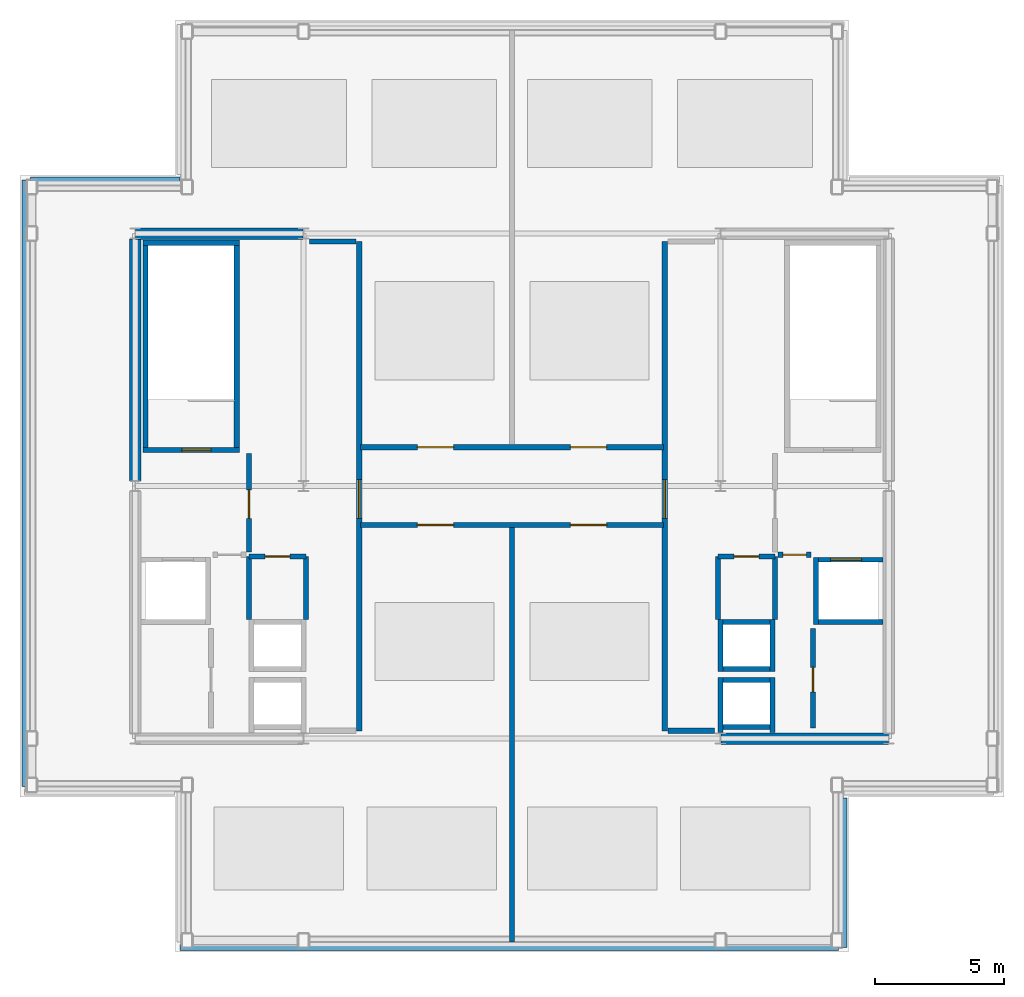
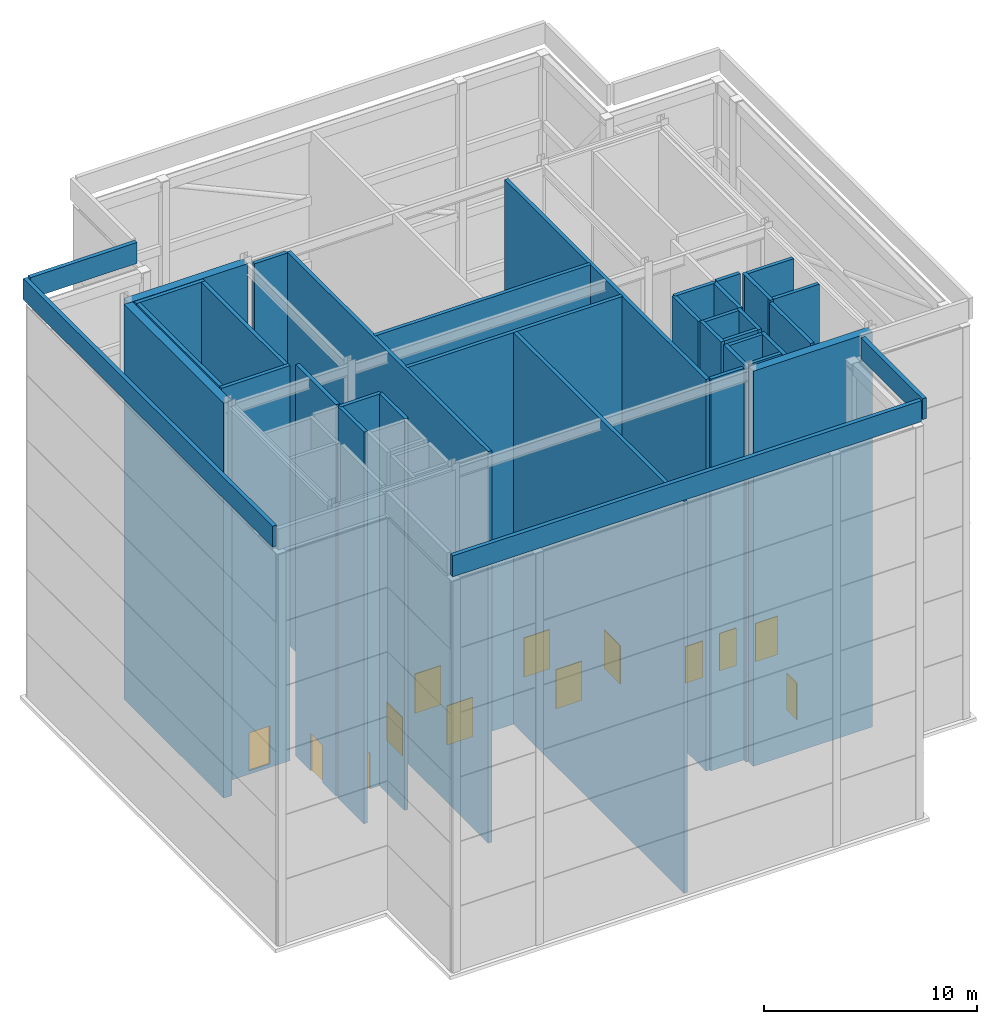
# One storey, part 5 of 8: 38 walls, 13 doors, 13 openings.
"""IFC4 building model written with IfcOpenShell, lengths in metres."""

from ifc_helpers import new_model, si_unit, direction, frame, frame_2d, origin, place, context, subcontext, project, spatial, rectangle, extrude, material, layer, layer_set, type_object, element, fill, save


model = new_model("IFC4")

# Units and contexts
model_context = context("Model", 3, precision=1e-05, world=origin(), true_north=direction((0.0, 1.0)))
body_context = subcontext(model_context, "Body", "Model", "MODEL_VIEW")
ifc_project = project(units=[si_unit("LENGTHUNIT", "METRE"), si_unit("AREAUNIT", "SQUARE_METRE"), si_unit("VOLUMEUNIT", "CUBIC_METRE"), si_unit("PLANEANGLEUNIT", "RADIAN"), si_unit("MASSUNIT", "GRAM", prefix="KILO")], contexts=[model_context])

# Site, building, storey
site_placement = place(None, origin())
site = spatial("IfcSite", under=ifc_project, at=site_placement, CompositionType="ELEMENT")
building_placement = place(site_placement, origin())
building = spatial("IfcBuilding", under=site, at=building_placement, Name="Brelmoor Portico Tower", CompositionType="ELEMENT")
storey_placement = place(building_placement, frame((0.0, 0.0, 289.199951171875)))
storey = spatial("IfcBuildingStorey", under=building, at=storey_placement, Name="L76", CompositionType="ELEMENT", Elevation=289.199951171875)

# Walls
ifc_material_1 = material(Name="Concrete C50", Category="concrete")
ifc_layer_1 = layer(ifc_material_1, 0.449951171875)
ifc_layer_set_1 = layer_set([ifc_layer_1], Name="Concrete C50")
wall_type_1 = type_object("IfcWallType", Name="WL-CORE-450", PredefinedType="SHEAR", material=ifc_layer_set_1)
wall_1_placement = place(storey_placement, frame((-14.530029296875, 9.75, -0.199951171875), z_axis=(0.0, 0.0, 1.0), x_axis=(1.0, 0.0, 0.0)))
element("IfcWall", 1, at=wall_1_placement, inside=storey, type_object=wall_type_1, Name="L76 WC North Shear Wall", PredefinedType="SHEAR", context=body_context, shape_type="SweptSolid", body=[
    extrude(rectangle(XDim=6.4599609375, YDim=0.449951171875, at=frame_2d((3.22998046875, 0.0))), origin(), (0.0, 0.0, 1.0), 22.64990234375),
])
wall_2_placement = place(storey_placement, frame((-14.550048828125, 0.199951171875, -0.199951171875), z_axis=(0.0, 0.0, 1.0), x_axis=(0.0, 1.0, 0.0)))
element("IfcWall", 2, at=wall_2_placement, inside=storey, type_object=wall_type_1, Name="L76 WC Outer North Shear Wall", PredefinedType="SHEAR", context=body_context, shape_type="SweptSolid", body=[
    extrude(rectangle(XDim=9.35009765625, YDim=0.449951171875, at=frame_2d((4.675048828125, 0.0))), origin(), (0.0, 0.0, 1.0), 22.64990234375),
])
wall_3_placement = place(storey_placement, frame((8.070068359375, -9.75, -0.199951171875), z_axis=(0.0, 0.0, 1.0), x_axis=(1.0, 0.0, 0.0)))
element("IfcWall", 3, at=wall_3_placement, inside=storey, type_object=wall_type_1, Name="L76 EC South Shear Wall", PredefinedType="SHEAR", context=body_context, shape_type="SweptSolid", body=[
    extrude(rectangle(XDim=6.4599609375, YDim=0.449951171875, at=frame_2d((3.22998046875, 0.0))), origin(), (0.0, 0.0, 1.0), 22.64990234375),
])
ifc_material_2 = material(Name="Concrete C40 Parapet Upstand", Category="concrete")
ifc_layer_2 = layer(ifc_material_2, 0.219970703125)
ifc_layer_set_2 = layer_set([ifc_layer_2], Name="Concrete C40 Parapet Upstand")
wall_type_2 = type_object("IfcWallType", Name="WL-PARAPET-220", PredefinedType="PARAPET", material=ifc_layer_set_2)
wall_4_placement = place(storey_placement, frame((-12.820068359375, -17.820068359375, 22.800048828125), z_axis=(0.0, 0.0, 1.0), x_axis=(1.0, 0.0, 0.0)))
element("IfcWall", 4, at=wall_4_placement, inside=storey, type_object=wall_type_2, Name="L76 Roof Parapet Wall 01", PredefinedType="PARAPET", context=body_context, shape_type="SweptSolid", body=[
    extrude(rectangle(XDim=25.420166015625, YDim=0.219970703125, at=frame_2d((12.7099609375, 0.0))), origin(), (0.0, 0.0, 1.0), 1.199951171875),
])
for number, where, z_axis, x_axis, name in (
    (5, (12.820068359375, -17.820068359375, 22.800048828125), (0.0, 0.0, 1.0), (0.0, 1.0, 0.0), "L76 Roof Parapet Wall 02"),
    (6, (-12.820068359375, 11.820068359375, 22.800048828125), (0.0, 0.0, 1.0), (-1.0, 0.0, 0.0), "L76 Roof Parapet Wall 09"),
):
    element("IfcWall", number, at=place(storey_placement, frame(where, z_axis=z_axis, x_axis=x_axis)), inside=storey, type_object=wall_type_2, Name=name, PredefinedType="PARAPET", context=body_context, shape_type="SweptSolid", body=[
        extrude(rectangle(XDim=5.780029296875, YDim=0.219970703125, at=frame_2d((2.89013671875, 0.0))), origin(), (0.0, 0.0, 1.0), 1.199951171875),
    ])
wall_5_placement = place(storey_placement, frame((-18.820068359375, 11.820068359375, 22.800048828125), z_axis=(0.0, 0.0, 1.0), x_axis=(0.0, -1.0, 0.0)))
element("IfcWall", 7, at=wall_5_placement, inside=storey, type_object=wall_type_2, Name="L76 Roof Parapet Wall 10", PredefinedType="PARAPET", context=body_context, shape_type="SweptSolid", body=[
    extrude(rectangle(XDim=23.420166015625, YDim=0.219970703125, at=frame_2d((11.7099609375, 0.0))), origin(), (0.0, 0.0, 1.0), 1.199951171875),
])

# Wall, opening, door
ifc_material_3 = material(Name="Double-Stud Gypsum Fire Partition", Category="gypsum")
ifc_layer_3 = layer(ifc_material_3, 0.199951171875)
ifc_layer_set_3 = layer_set([ifc_layer_3], Name="Double-Stud Gypsum Fire Partition")
wall_type_3 = type_object("IfcWallType", Name="WL-PART-200", PredefinedType="PARTITIONING", material=ifc_layer_set_3)
wall_6_placement = place(storey_placement, frame((-5.89990234375, -9.449951171875, 0.0), z_axis=(0.0, 0.0, 1.0), x_axis=(0.0, 1.0, 0.0)))
wall_6 = element("IfcWall", 8, at=wall_6_placement, inside=storey, type_object=wall_type_3, Name="L76 W Core Lobby Compartment Wall", PredefinedType="PARTITIONING", context=body_context, shape_type="SweptSolid", body=[
    extrude(rectangle(XDim=18.89990234375, YDim=0.199951171875, at=frame_2d((9.449951171875, 0.0))), origin(), (0.0, 0.0, 1.0), 22.449951171875),
])
opening_1_placement = place(wall_6_placement, frame((8.199951171875, 0.0, 0.0)))
opening_1 = element("IfcOpeningElement", 9, at=opening_1_placement, cuts=wall_6, Name="Opening D-LB1", PredefinedType="OPENING", context=body_context, shape_type="SweptSolid", body=[
    extrude(rectangle(XDim=1.5, YDim=2.199951171875, at=frame_2d((0.75, 1.10009765625))), frame((0.0, 0.10986328125, 0.0), z_axis=(0.0, -1.0, 0.0), x_axis=(1.0, 0.0, 0.0)), (0.0, 0.0, 1.0), 0.219970703125),
])
ifc_material_4 = material(Name="Double-Leaf Glazed Steel Fire Door", Category="steel")
door_type_1 = type_object("IfcDoorType", Name="DR-LOBBY-1500", OperationType="NOTDEFINED", PredefinedType="DOOR", material=ifc_material_4)
door_1_placement = place(opening_1_placement, origin())
door_1 = element("IfcDoor", 10, at=door_1_placement, inside=storey, type_object=door_type_1, Name="D-3083 L76 W Lift Lobby Main Door", OperationType="DOUBLE_DOOR_SINGLE_SWING", OverallHeight=2.199951171875, OverallWidth=1.5, PredefinedType="DOOR", context=body_context, shape_type="SweptSolid", body=[
    extrude(rectangle(XDim=1.5, YDim=2.199951171875, at=frame_2d((0.75, 1.10009765625))), frame((0.0, 0.02490234375, 0.0), z_axis=(0.0, -1.0, 0.0), x_axis=(1.0, 0.0, 0.0)), (0.0, 0.0, 1.0), 0.050048828125),
])
fill(opening_1, door_1)

# Wall
wall_7_placement = place(storey_placement, frame((-6.02001953125, 9.449951171875, 0.0), z_axis=(0.0, 0.0, 1.0), x_axis=(-1.0, 0.0, 0.0)))
element("IfcWall", 11, at=wall_7_placement, inside=storey, type_object=wall_type_3, Name="L76 W Lift Lobby North End Wall", PredefinedType="PARTITIONING", context=body_context, shape_type="SweptSolid", body=[
    extrude(rectangle(XDim=1.800048828125, YDim=0.199951171875, at=frame_2d((0.89990234375, 0.0))), origin(), (0.0, 0.0, 1.0), 22.449951171875),
])

# Wall, opening, door
wall_8_placement = place(storey_placement, frame((-10.159912109375, -2.550048828125, 0.0), z_axis=(0.0, 0.0, 1.0), x_axis=(0.0, 1.0, 0.0)))
wall_8 = element("IfcWall", 12, at=wall_8_placement, inside=storey, type_object=wall_type_3, Name="L76 W Firefighting Lobby Wall", PredefinedType="PARTITIONING", context=body_context, shape_type="SweptSolid", body=[
    extrude(rectangle(XDim=3.800048828125, YDim=0.199951171875, at=frame_2d((1.89990234375, 0.0))), origin(), (0.0, 0.0, 1.0), 22.449951171875),
])
opening_2_placement = place(wall_8_placement, frame((1.300048828125, 0.0, 0.0)))
opening_2 = element("IfcOpeningElement", 13, at=opening_2_placement, cuts=wall_8, Name="Opening D-FR1", PredefinedType="OPENING", context=body_context, shape_type="SweptSolid", body=[
    extrude(rectangle(XDim=1.10009765625, YDim=2.14990234375, at=frame_2d((0.550048828125, 1.074951171875))), frame((0.0, 0.10986328125, 0.0), z_axis=(0.0, -1.0, 0.0), x_axis=(1.0, 0.0, 0.0)), (0.0, 0.0, 1.0), 0.219970703125),
])
ifc_material_5 = material(Name="Painted Galvanised Steel Fire Door", Category="steel")
door_type_2 = type_object("IfcDoorType", Name="DR-FIRE-1100", OperationType="NOTDEFINED", PredefinedType="DOOR", material=ifc_material_5)
door_2_placement = place(opening_2_placement, origin())
door_2 = element("IfcDoor", 14, at=door_2_placement, inside=storey, type_object=door_type_2, Name="D-3081 L76 W Firefighting Lobby Door", OperationType="SINGLE_SWING_RIGHT", OverallHeight=2.14990234375, OverallWidth=1.10009765625, PredefinedType="DOOR", context=body_context, shape_type="SweptSolid", body=[
    extrude(rectangle(XDim=1.10009765625, YDim=2.14990234375, at=frame_2d((0.550048828125, 1.074951171875))), frame((0.0, 0.02490234375, 0.0), z_axis=(0.0, -1.0, 0.0), x_axis=(1.0, 0.0, 0.0)), (0.0, 0.0, 1.0), 0.050048828125),
])
fill(opening_2, door_2)

wall_9_placement = place(storey_placement, frame((-7.9599609375, -2.719970703125, 0.0), z_axis=(0.0, 0.0, 1.0), x_axis=(-1.0, 0.0, 0.0)))
wall_9 = element("IfcWall", 15, at=wall_9_placement, inside=storey, type_object=wall_type_3, Name="L76 W Electrical Switchgear Closet Wall", PredefinedType="PARTITIONING", context=body_context, shape_type="SweptSolid", body=[
    extrude(rectangle(XDim=2.199951171875, YDim=0.199951171875, at=frame_2d((1.10009765625, 0.0))), origin(), (0.0, 0.0, 1.0), 22.449951171875),
])
opening_3_placement = place(wall_9_placement, frame((0.6201171875, 0.0, 0.0)))
opening_3 = element("IfcOpeningElement", 16, at=opening_3_placement, cuts=wall_9, Name="Opening D-FR4", PredefinedType="OPENING", context=body_context, shape_type="SweptSolid", body=[
    extrude(rectangle(XDim=0.949951171875, YDim=2.10009765625, at=frame_2d((0.47509765625, 1.050048828125))), frame((0.0, 0.10986328125, 0.0), z_axis=(0.0, -1.0, 0.0), x_axis=(1.0, 0.0, 0.0)), (0.0, 0.0, 1.0), 0.219970703125),
])
ifc_material_6 = material(Name="Painted Galvanised Steel Riser Door", Category="steel")
door_type_3 = type_object("IfcDoorType", Name="DR-FIRE-950", OperationType="NOTDEFINED", PredefinedType="DOOR", material=ifc_material_6)
door_3_placement = place(opening_3_placement, origin())
door_3 = element("IfcDoor", 17, at=door_3_placement, inside=storey, type_object=door_type_3, Name="D-3079 L76 W Electrical Switchgear Closet Door", OperationType="SINGLE_SWING_RIGHT", OverallHeight=2.10009765625, OverallWidth=0.949951171875, PredefinedType="DOOR", context=body_context, shape_type="SweptSolid", body=[
    extrude(rectangle(XDim=0.949951171875, YDim=2.10009765625, at=frame_2d((0.47509765625, 1.050048828125))), frame((0.0, 0.02490234375, 0.0), z_axis=(0.0, -1.0, 0.0), x_axis=(1.0, 0.0, 0.0)), (0.0, 0.0, 1.0), 0.050048828125),
])
fill(opening_3, door_3)

# Walls
for number, where, z_axis, x_axis, name in (
    (18, (-7.9599609375, -5.159912109375, 0.0), (0.0, 0.0, 1.0), (0.0, 1.0, 0.0), "L76 W Electrical Switchgear Closet Inner Wall"),
    (19, (-10.159912109375, -5.159912109375, 0.0), (0.0, 0.0, 1.0), (0.0, 1.0, 0.0), "L76 W Electrical Switchgear Closet Outer Wall"),
):
    element("IfcWall", number, at=place(storey_placement, frame(where, z_axis=z_axis, x_axis=x_axis)), inside=storey, type_object=wall_type_3, Name=name, PredefinedType="PARTITIONING", context=body_context, shape_type="SweptSolid", body=[
        extrude(rectangle(XDim=2.43994140625, YDim=0.199951171875, at=frame_2d((1.219970703125, 0.0))), origin(), (0.0, 0.0, 1.0), 22.449951171875),
    ])

# Wall, opening, door
wall_10_placement = place(storey_placement, frame((5.89990234375, -9.449951171875, 0.0), z_axis=(0.0, 0.0, 1.0), x_axis=(0.0, 1.0, 0.0)))
wall_10 = element("IfcWall", 20, at=wall_10_placement, inside=storey, type_object=wall_type_3, Name="L76 E Core Lobby Compartment Wall", PredefinedType="PARTITIONING", context=body_context, shape_type="SweptSolid", body=[
    extrude(rectangle(XDim=18.89990234375, YDim=0.199951171875, at=frame_2d((9.449951171875, 0.0))), origin(), (0.0, 0.0, 1.0), 22.449951171875),
])
opening_4_placement = place(wall_10_placement, frame((8.199951171875, 0.0, 0.0)))
opening_4 = element("IfcOpeningElement", 21, at=opening_4_placement, cuts=wall_10, Name="Opening D-LB1", PredefinedType="OPENING", context=body_context, shape_type="SweptSolid", body=[
    extrude(rectangle(XDim=1.5, YDim=2.199951171875, at=frame_2d((0.75, 1.10009765625))), frame((0.0, 0.10986328125, 0.0), z_axis=(0.0, -1.0, 0.0), x_axis=(1.0, 0.0, 0.0)), (0.0, 0.0, 1.0), 0.219970703125),
])
door_4_placement = place(opening_4_placement, origin())
door_4 = element("IfcDoor", 22, at=door_4_placement, inside=storey, type_object=door_type_1, Name="D-3082 L76 E Lift Lobby Main Door", OperationType="DOUBLE_DOOR_SINGLE_SWING", OverallHeight=2.199951171875, OverallWidth=1.5, PredefinedType="DOOR", context=body_context, shape_type="SweptSolid", body=[
    extrude(rectangle(XDim=1.5, YDim=2.199951171875, at=frame_2d((0.75, 1.10009765625))), frame((0.0, 0.02490234375, 0.0), z_axis=(0.0, -1.0, 0.0), x_axis=(1.0, 0.0, 0.0)), (0.0, 0.0, 1.0), 0.050048828125),
])
fill(opening_4, door_4)

# Wall
wall_11_placement = place(storey_placement, frame((6.02001953125, -9.449951171875, 0.0), z_axis=(0.0, 0.0, 1.0), x_axis=(1.0, 0.0, 0.0)))
element("IfcWall", 23, at=wall_11_placement, inside=storey, type_object=wall_type_3, Name="L76 E Lift Lobby South End Wall", PredefinedType="PARTITIONING", context=body_context, shape_type="SweptSolid", body=[
    extrude(rectangle(XDim=1.800048828125, YDim=0.199951171875, at=frame_2d((0.89990234375, 0.0))), origin(), (0.0, 0.0, 1.0), 22.449951171875),
])

# Wall, opening, door
wall_12_placement = place(storey_placement, frame((10.280029296875, -2.64990234375, 0.0), z_axis=(0.0, 0.0, 1.0), x_axis=(1.0, 0.0, 0.0)))
wall_12 = element("IfcWall", 24, at=wall_12_placement, inside=storey, type_object=wall_type_3, Name="L76 E Firefighting Lobby South Wall", PredefinedType="PARTITIONING", context=body_context, shape_type="SweptSolid", body=[
    extrude(rectangle(XDim=1.27001953125, YDim=0.199951171875, at=frame_2d((0.635009765625, 0.0))), origin(), (0.0, 0.0, 1.0), 22.449951171875),
])
opening_5_placement = place(wall_12_placement, frame((0.18505859375, 0.0, 0.0)))
opening_5 = element("IfcOpeningElement", 25, at=opening_5_placement, cuts=wall_12, Name="Opening D-IN1", PredefinedType="OPENING", context=body_context, shape_type="SweptSolid", body=[
    extrude(rectangle(XDim=0.89990234375, YDim=2.14990234375, at=frame_2d((0.449951171875, 1.074951171875))), frame((0.0, 0.10986328125, 0.0), z_axis=(0.0, -1.0, 0.0), x_axis=(1.0, 0.0, 0.0)), (0.0, 0.0, 1.0), 0.219970703125),
])
ifc_material_7 = material(Name="Lacquered Timber Suite Door", Category="wood")
door_type_4 = type_object("IfcDoorType", Name="DR-INT-900", OperationType="NOTDEFINED", PredefinedType="DOOR", material=ifc_material_7)
door_5_placement = place(opening_5_placement, origin())
door_5 = element("IfcDoor", 26, at=door_5_placement, inside=storey, type_object=door_type_4, Name="D-3076 L76 E Core Service Vestibule Door", OperationType="SINGLE_SWING_LEFT", OverallHeight=2.14990234375, OverallWidth=0.89990234375, PredefinedType="DOOR", context=body_context, shape_type="SweptSolid", body=[
    extrude(rectangle(XDim=0.89990234375, YDim=2.14990234375, at=frame_2d((0.449951171875, 1.074951171875))), frame((0.0, 0.02490234375, 0.0), z_axis=(0.0, -1.0, 0.0), x_axis=(1.0, 0.0, 0.0)), (0.0, 0.0, 1.0), 0.050048828125),
])
fill(opening_5, door_5)

wall_13_placement = place(storey_placement, frame((7.9599609375, -2.719970703125, 0.0), z_axis=(0.0, 0.0, 1.0), x_axis=(1.0, 0.0, 0.0)))
wall_13 = element("IfcWall", 27, at=wall_13_placement, inside=storey, type_object=wall_type_3, Name="L76 E Electrical Switchgear Closet Wall", PredefinedType="PARTITIONING", context=body_context, shape_type="SweptSolid", body=[
    extrude(rectangle(XDim=2.199951171875, YDim=0.199951171875, at=frame_2d((1.10009765625, 0.0))), origin(), (0.0, 0.0, 1.0), 22.449951171875),
])
opening_6_placement = place(wall_13_placement, frame((0.6201171875, 0.0, 0.0)))
opening_6 = element("IfcOpeningElement", 28, at=opening_6_placement, cuts=wall_13, Name="Opening D-FR4", PredefinedType="OPENING", context=body_context, shape_type="SweptSolid", body=[
    extrude(rectangle(XDim=0.949951171875, YDim=2.10009765625, at=frame_2d((0.47509765625, 1.050048828125))), frame((0.0, 0.10986328125, 0.0), z_axis=(0.0, -1.0, 0.0), x_axis=(1.0, 0.0, 0.0)), (0.0, 0.0, 1.0), 0.219970703125),
])
door_6_placement = place(opening_6_placement, origin())
door_6 = element("IfcDoor", 29, at=door_6_placement, inside=storey, type_object=door_type_3, Name="D-3078 L76 E Electrical Switchgear Closet Door", OperationType="SINGLE_SWING_RIGHT", OverallHeight=2.10009765625, OverallWidth=0.949951171875, PredefinedType="DOOR", context=body_context, shape_type="SweptSolid", body=[
    extrude(rectangle(XDim=0.949951171875, YDim=2.10009765625, at=frame_2d((0.47509765625, 1.050048828125))), frame((0.0, 0.02490234375, 0.0), z_axis=(0.0, -1.0, 0.0), x_axis=(1.0, 0.0, 0.0)), (0.0, 0.0, 1.0), 0.050048828125),
])
fill(opening_6, door_6)

# Walls
for number, where, z_axis, x_axis, name in (
    (30, (7.9599609375, -5.159912109375, 0.0), (0.0, 0.0, 1.0), (0.0, 1.0, 0.0), "L76 E Electrical Switchgear Closet Inner Wall"),
    (31, (10.159912109375, -5.159912109375, 0.0), (0.0, 0.0, 1.0), (0.0, 1.0, 0.0), "L76 E Electrical Switchgear Closet Outer Wall"),
):
    element("IfcWall", number, at=place(storey_placement, frame(where, z_axis=z_axis, x_axis=x_axis)), inside=storey, type_object=wall_type_3, Name=name, PredefinedType="PARTITIONING", context=body_context, shape_type="SweptSolid", body=[
        extrude(rectangle(XDim=2.43994140625, YDim=0.199951171875, at=frame_2d((1.219970703125, 0.0))), origin(), (0.0, 0.0, 1.0), 22.449951171875),
    ])

# Wall, opening, door
wall_14_placement = place(storey_placement, frame((11.6201171875, -9.35009765625, 0.0), z_axis=(0.0, 0.0, 1.0), x_axis=(0.0, 1.0, 0.0)))
wall_14 = element("IfcWall", 32, at=wall_14_placement, inside=storey, type_object=wall_type_3, Name="L76 E Mechanical Equipment Closet Wall", PredefinedType="PARTITIONING", context=body_context, shape_type="SweptSolid", body=[
    extrude(rectangle(XDim=3.85009765625, YDim=0.199951171875, at=frame_2d((1.925048828125, 0.0))), origin(), (0.0, 0.0, 1.0), 22.449951171875),
])
opening_7_placement = place(wall_14_placement, frame((1.39990234375, 0.0, 0.0)))
opening_7 = element("IfcOpeningElement", 33, at=opening_7_placement, cuts=wall_14, Name="Opening D-FR4", PredefinedType="OPENING", context=body_context, shape_type="SweptSolid", body=[
    extrude(rectangle(XDim=0.949951171875, YDim=2.10009765625, at=frame_2d((0.47509765625, 1.050048828125))), frame((0.0, 0.10986328125, 0.0), z_axis=(0.0, -1.0, 0.0), x_axis=(1.0, 0.0, 0.0)), (0.0, 0.0, 1.0), 0.219970703125),
])
door_7_placement = place(opening_7_placement, origin())
door_7 = element("IfcDoor", 34, at=door_7_placement, inside=storey, type_object=door_type_3, Name="D-3074 L76 E Mechanical Equipment Closet Door", OperationType="SINGLE_SWING_LEFT", OverallHeight=2.10009765625, OverallWidth=0.949951171875, PredefinedType="DOOR", context=body_context, shape_type="SweptSolid", body=[
    extrude(rectangle(XDim=0.949951171875, YDim=2.10009765625, at=frame_2d((0.47509765625, 1.050048828125))), frame((0.0, 0.02490234375, 0.0), z_axis=(0.0, -1.0, 0.0), x_axis=(1.0, 0.0, 0.0)), (0.0, 0.0, 1.0), 0.050048828125),
])
fill(opening_7, door_7)

# Wall, openings, doors
wall_15_placement = place(storey_placement, frame((-5.85009765625, -1.5, 0.0), z_axis=(0.0, 0.0, 1.0), x_axis=(1.0, 0.0, 0.0)))
wall_15 = element("IfcWall", 35, at=wall_15_placement, inside=storey, type_object=wall_type_3, Name="L76 South Plant Corridor Wall", PredefinedType="PARTITIONING", context=body_context, shape_type="SweptSolid", body=[
    extrude(rectangle(XDim=11.7001953125, YDim=0.199951171875, at=frame_2d((5.85009765625, 0.0))), origin(), (0.0, 0.0, 1.0), 22.449951171875),
])
opening_8_placement = place(wall_15_placement, frame((2.199951171875, 0.0, 0.0)))
opening_8 = element("IfcOpeningElement", 36, at=opening_8_placement, cuts=wall_15, Name="Opening D-PL1", PredefinedType="OPENING", context=body_context, shape_type="SweptSolid", body=[
    extrude(rectangle(XDim=1.39990234375, YDim=2.25, at=frame_2d((0.699951171875, 1.125))), frame((0.0, 0.10986328125, 0.0), z_axis=(0.0, -1.0, 0.0), x_axis=(1.0, 0.0, 0.0)), (0.0, 0.0, 1.0), 0.219970703125),
])
opening_9_placement = place(wall_15_placement, frame((8.10009765625, 0.0, 0.0)))
opening_9 = element("IfcOpeningElement", 37, at=opening_9_placement, cuts=wall_15, Name="Opening D-PL1", PredefinedType="OPENING", context=body_context, shape_type="SweptSolid", body=[
    extrude(rectangle(XDim=1.39990234375, YDim=2.25, at=frame_2d((0.699951171875, 1.125))), frame((0.0, 0.10986328125, 0.0), z_axis=(0.0, -1.0, 0.0), x_axis=(1.0, 0.0, 0.0)), (0.0, 0.0, 1.0), 0.219970703125),
])
ifc_material_8 = material(Name="Double-Leaf Acoustic Steel Plant Door", Category="steel")
door_type_5 = type_object("IfcDoorType", Name="DR-PLANT-1400", OperationType="NOTDEFINED", PredefinedType="DOOR", material=ifc_material_8)
door_8_placement = place(opening_8_placement, origin())
door_8 = element("IfcDoor", 38, at=door_8_placement, inside=storey, type_object=door_type_5, Name="D-3084 L76 Chiller Plant Door", OperationType="DOUBLE_DOOR_SINGLE_SWING", OverallHeight=2.25, OverallWidth=1.39990234375, PredefinedType="DOOR", context=body_context, shape_type="SweptSolid", body=[
    extrude(rectangle(XDim=1.39990234375, YDim=2.25, at=frame_2d((0.699951171875, 1.125))), frame((0.0, 0.02490234375, 0.0), z_axis=(0.0, -1.0, 0.0), x_axis=(1.0, 0.0, 0.0)), (0.0, 0.0, 1.0), 0.050048828125),
])
fill(opening_8, door_8)
door_9_placement = place(opening_9_placement, origin())
door_9 = element("IfcDoor", 39, at=door_9_placement, inside=storey, type_object=door_type_5, Name="D-3085 L76 Cooling Tower Plant Door", OperationType="DOUBLE_DOOR_SINGLE_SWING", OverallHeight=2.25, OverallWidth=1.39990234375, PredefinedType="DOOR", context=body_context, shape_type="SweptSolid", body=[
    extrude(rectangle(XDim=1.39990234375, YDim=2.25, at=frame_2d((0.699951171875, 1.125))), frame((0.0, 0.02490234375, 0.0), z_axis=(0.0, -1.0, 0.0), x_axis=(1.0, 0.0, 0.0)), (0.0, 0.0, 1.0), 0.050048828125),
])
fill(opening_9, door_9)

wall_16_placement = place(storey_placement, frame((-5.85009765625, 1.5, 0.0), z_axis=(0.0, 0.0, 1.0), x_axis=(1.0, 0.0, 0.0)))
wall_16 = element("IfcWall", 40, at=wall_16_placement, inside=storey, type_object=wall_type_3, Name="L76 North Plant Corridor Wall", PredefinedType="PARTITIONING", context=body_context, shape_type="SweptSolid", body=[
    extrude(rectangle(XDim=11.7001953125, YDim=0.199951171875, at=frame_2d((5.85009765625, 0.0))), origin(), (0.0, 0.0, 1.0), 22.449951171875),
])
opening_10_placement = place(wall_16_placement, frame((2.199951171875, 0.0, 0.0)))
opening_10 = element("IfcOpeningElement", 41, at=opening_10_placement, cuts=wall_16, Name="Opening D-PL1", PredefinedType="OPENING", context=body_context, shape_type="SweptSolid", body=[
    extrude(rectangle(XDim=1.39990234375, YDim=2.25, at=frame_2d((0.699951171875, 1.125))), frame((0.0, 0.10986328125, 0.0), z_axis=(0.0, -1.0, 0.0), x_axis=(1.0, 0.0, 0.0)), (0.0, 0.0, 1.0), 0.219970703125),
])
opening_11_placement = place(wall_16_placement, frame((8.10009765625, 0.0, 0.0)))
opening_11 = element("IfcOpeningElement", 42, at=opening_11_placement, cuts=wall_16, Name="Opening D-PL1", PredefinedType="OPENING", context=body_context, shape_type="SweptSolid", body=[
    extrude(rectangle(XDim=1.39990234375, YDim=2.25, at=frame_2d((0.699951171875, 1.125))), frame((0.0, 0.10986328125, 0.0), z_axis=(0.0, -1.0, 0.0), x_axis=(1.0, 0.0, 0.0)), (0.0, 0.0, 1.0), 0.219970703125),
])
door_10_placement = place(opening_10_placement, origin())
door_10 = element("IfcDoor", 43, at=door_10_placement, inside=storey, type_object=door_type_5, Name="D-3086 L76 Primary AHU Plant Door", OperationType="DOUBLE_DOOR_SINGLE_SWING", OverallHeight=2.25, OverallWidth=1.39990234375, PredefinedType="DOOR", context=body_context, shape_type="SweptSolid", body=[
    extrude(rectangle(XDim=1.39990234375, YDim=2.25, at=frame_2d((0.699951171875, 1.125))), frame((0.0, 0.02490234375, 0.0), z_axis=(0.0, -1.0, 0.0), x_axis=(1.0, 0.0, 0.0)), (0.0, 0.0, 1.0), 0.050048828125),
])
fill(opening_10, door_10)
door_11_placement = place(opening_11_placement, origin())
door_11 = element("IfcDoor", 44, at=door_11_placement, inside=storey, type_object=door_type_5, Name="D-3087 L76 Fire Water Tank Plant Door", OperationType="DOUBLE_DOOR_SINGLE_SWING", OverallHeight=2.25, OverallWidth=1.39990234375, PredefinedType="DOOR", context=body_context, shape_type="SweptSolid", body=[
    extrude(rectangle(XDim=1.39990234375, YDim=2.25, at=frame_2d((0.699951171875, 1.125))), frame((0.0, 0.02490234375, 0.0), z_axis=(0.0, -1.0, 0.0), x_axis=(1.0, 0.0, 0.0)), (0.0, 0.0, 1.0), 0.050048828125),
])
fill(opening_11, door_11)

# Walls
wall_17_placement = place(storey_placement, frame((0.0, -17.60009765625, 0.0), z_axis=(0.0, 0.0, 1.0), x_axis=(0.0, 1.0, 0.0)))
element("IfcWall", 45, at=wall_17_placement, inside=storey, type_object=wall_type_3, Name="L76 South Plant Divider", PredefinedType="PARTITIONING", context=body_context, shape_type="SweptSolid", body=[
    extrude(rectangle(XDim=16.02001953125, YDim=0.199951171875, at=frame_2d((8.010009765625, 0.0))), origin(), (0.0, 0.0, 1.0), 22.449951171875),
])
ifc_material_9 = material(Name="Precast Concrete C40", Category="concrete")
ifc_layer_4 = layer(ifc_material_9, 0.18994140625)
ifc_layer_set_4 = layer_set([ifc_layer_4], Name="Precast Concrete C40")
wall_type_4 = type_object("IfcWallType", Name="WL-SHAFT-180", PredefinedType="SOLIDWALL", material=ifc_layer_set_4)
for number, where, z_axis, x_axis, name in (
    (46, (8.044921875, -9.52001953125, -0.199951171875), (0.0, 0.0, 1.0), (0.0, 1.0, 0.0), "L76 Lift PH3 Hoistway Front Wall"),
    (47, (10.054931640625, -9.52001953125, -0.199951171875), (0.0, 0.0, 1.0), (0.0, 1.0, 0.0), "L76 Lift PH3 Hoistway Back Wall"),
):
    element("IfcWall", number, at=place(storey_placement, frame(where, z_axis=z_axis, x_axis=x_axis)), inside=storey, type_object=wall_type_4, Name=name, PredefinedType="SOLIDWALL", context=body_context, shape_type="SweptSolid", body=[
        extrude(rectangle(XDim=2.1201171875, YDim=0.18994140625, at=frame_2d((1.06005859375, 0.0))), origin(), (0.0, 0.0, 1.0), 22.64990234375),
    ])
for number, where, z_axis, x_axis, name in (
    (48, (7.949951171875, -7.4951171875, -0.199951171875), (0.0, 0.0, 1.0), (1.0, 0.0, 0.0), "L76 Lift PH3 Hoistway North Wall"),
    (49, (7.949951171875, -9.304931640625, -0.199951171875), (0.0, 0.0, 1.0), (1.0, 0.0, 0.0), "L76 Lift PH3 Hoistway South Wall"),
):
    element("IfcWall", number, at=place(storey_placement, frame(where, z_axis=z_axis, x_axis=x_axis)), inside=storey, type_object=wall_type_4, Name=name, PredefinedType="SOLIDWALL", context=body_context, shape_type="SweptSolid", body=[
        extrude(rectangle(XDim=2.199951171875, YDim=0.18994140625, at=frame_2d((1.10009765625, 0.0))), origin(), (0.0, 0.0, 1.0), 22.64990234375),
    ])
for number, where, z_axis, x_axis, name in (
    (50, (8.044921875, -7.14990234375, -0.199951171875), (0.0, 0.0, 1.0), (0.0, 1.0, 0.0), "L76 Lift PH4 Hoistway Front Wall"),
    (51, (10.054931640625, -7.14990234375, -0.199951171875), (0.0, 0.0, 1.0), (0.0, 1.0, 0.0), "L76 Lift PH4 Hoistway Back Wall"),
):
    element("IfcWall", number, at=place(storey_placement, frame(where, z_axis=z_axis, x_axis=x_axis)), inside=storey, type_object=wall_type_4, Name=name, PredefinedType="SOLIDWALL", context=body_context, shape_type="SweptSolid", body=[
        extrude(rectangle(XDim=2.0, YDim=0.18994140625, at=frame_2d((1.0, 0.0))), origin(), (0.0, 0.0, 1.0), 22.64990234375),
    ])
for number, where, z_axis, x_axis, name in (
    (52, (7.949951171875, -5.2451171875, -0.199951171875), (0.0, 0.0, 1.0), (1.0, 0.0, 0.0), "L76 Lift PH4 Hoistway North Wall"),
    (53, (7.949951171875, -7.054931640625, -0.199951171875), (0.0, 0.0, 1.0), (1.0, 0.0, 0.0), "L76 Lift PH4 Hoistway South Wall"),
):
    element("IfcWall", number, at=place(storey_placement, frame(where, z_axis=z_axis, x_axis=x_axis)), inside=storey, type_object=wall_type_4, Name=name, PredefinedType="SOLIDWALL", context=body_context, shape_type="SweptSolid", body=[
        extrude(rectangle(XDim=2.199951171875, YDim=0.18994140625, at=frame_2d((1.10009765625, 0.0))), origin(), (0.0, 0.0, 1.0), 22.64990234375),
    ])

# Wall, opening, door
wall_18_placement = place(storey_placement, frame((11.64990234375, -2.844970703125, -0.199951171875), z_axis=(0.0, 0.0, 1.0), x_axis=(1.0, 0.0, 0.0)))
wall_18 = element("IfcWall", 54, at=wall_18_placement, inside=storey, type_object=wall_type_4, Name="L76 Lift FF2 Hoistway Front Wall", PredefinedType="SOLIDWALL", context=body_context, shape_type="SweptSolid", body=[
    extrude(rectangle(XDim=2.68017578125, YDim=0.18994140625, at=frame_2d((1.340087890625, 0.0))), origin(), (0.0, 0.0, 1.0), 22.64990234375),
])
opening_12_placement = place(wall_18_placement, frame((0.64990234375, 0.0, 0.199951171875)))
opening_12 = element("IfcOpeningElement", 55, at=opening_12_placement, cuts=wall_18, Name="Opening LD-02", PredefinedType="OPENING", context=body_context, shape_type="SweptSolid", body=[
    extrude(rectangle(XDim=1.199951171875, YDim=2.199951171875, at=frame_2d((0.60009765625, 1.10009765625))), frame((0.0, 0.10498046875, 0.0), z_axis=(0.0, -1.0, 0.0), x_axis=(1.0, 0.0, 0.0)), (0.0, 0.0, 1.0), 0.2099609375),
])
ifc_material_10 = material(Name="Brushed Stainless Steel Firefighting Lift Door", Category="steel")
door_type_6 = type_object("IfcDoorType", Name="DR-LIFT-1200", OperationType="NOTDEFINED", PredefinedType="DOOR", material=ifc_material_10)
door_12_placement = place(opening_12_placement, origin())
door_12 = element("IfcDoor", 56, at=door_12_placement, inside=storey, type_object=door_type_6, Name="D-3091 L76 Lift FF2 Sliding Landing Door", OperationType="SLIDING_TO_LEFT", OverallHeight=2.199951171875, OverallWidth=1.199951171875, PredefinedType="DOOR", context=body_context, shape_type="SweptSolid", body=[
    extrude(rectangle(XDim=1.199951171875, YDim=2.199951171875, at=frame_2d((0.60009765625, 1.10009765625))), frame((0.0, 0.02490234375, 0.0), z_axis=(0.0, -1.0, 0.0), x_axis=(1.0, 0.0, 0.0)), (0.0, 0.0, 1.0), 0.050048828125),
])
fill(opening_12, door_12)

# Walls
wall_19_placement = place(storey_placement, frame((11.64990234375, -5.2548828125, -0.199951171875), z_axis=(0.0, 0.0, 1.0), x_axis=(1.0, 0.0, 0.0)))
element("IfcWall", 57, at=wall_19_placement, inside=storey, type_object=wall_type_4, Name="L76 Firefighting Lift FF2 South Wall", PredefinedType="SOLIDWALL", context=body_context, shape_type="SweptSolid", body=[
    extrude(rectangle(XDim=2.68017578125, YDim=0.18994140625, at=frame_2d((1.340087890625, 0.0))), origin(), (0.0, 0.0, 1.0), 22.64990234375),
])
wall_20_placement = place(storey_placement, frame((11.7451171875, -5.35009765625, -0.199951171875), z_axis=(0.0, 0.0, 1.0), x_axis=(0.0, 1.0, 0.0)))
element("IfcWall", 58, at=wall_20_placement, inside=storey, type_object=wall_type_4, Name="L76 Firefighting Lift FF2 Inner Wall", PredefinedType="SOLIDWALL", context=body_context, shape_type="SweptSolid", body=[
    extrude(rectangle(XDim=2.60009765625, YDim=0.18994140625, at=frame_2d((1.300048828125, 0.0))), origin(), (0.0, 0.0, 1.0), 22.64990234375),
])
ifc_material_11 = material(Name="Concrete C40", Category="concrete")
ifc_layer_5 = layer(ifc_material_11, 0.199951171875)
ifc_layer_set_5 = layer_set([ifc_layer_5], Name="Concrete C40")
wall_type_5 = type_object("IfcWallType", Name="WL-SHAFT-RC200", PredefinedType="SOLIDWALL", material=ifc_layer_set_5)
wall_21_placement = place(storey_placement, frame((-14.14990234375, 1.5, -0.199951171875), z_axis=(0.0, 0.0, 1.0), x_axis=(0.0, 1.0, 0.0)))
element("IfcWall", 59, at=wall_21_placement, inside=storey, type_object=wall_type_5, Name="L76 ST-W Structural Stair Wall Outer", PredefinedType="SOLIDWALL", context=body_context, shape_type="SweptSolid", body=[
    extrude(rectangle(XDim=7.800048828125, YDim=0.199951171875, at=frame_2d((3.89990234375, 0.0))), origin(), (0.0, 0.0, 1.0), 22.64990234375),
])

# Wall, opening, door
wall_22_placement = place(storey_placement, frame((-14.25, 1.39990234375, -0.199951171875), z_axis=(0.0, 0.0, 1.0), x_axis=(1.0, 0.0, 0.0)))
wall_22 = element("IfcWall", 60, at=wall_22_placement, inside=storey, type_object=wall_type_5, Name="L76 ST-W Structural Stair Wall S", PredefinedType="SOLIDWALL", context=body_context, shape_type="SweptSolid", body=[
    extrude(rectangle(XDim=3.719970703125, YDim=0.199951171875, at=frame_2d((1.85986328125, 0.0))), origin(), (0.0, 0.0, 1.0), 22.64990234375),
])
opening_13_placement = place(wall_22_placement, frame((1.5, 0.0, 0.199951171875)))
opening_13 = element("IfcOpeningElement", 61, at=opening_13_placement, cuts=wall_22, Name="Opening D-ST1", PredefinedType="OPENING", context=body_context, shape_type="SweptSolid", body=[
    extrude(rectangle(XDim=1.1201171875, YDim=2.179931640625, at=frame_2d((0.56005859375, 1.08984375))), frame((0.0, 0.10986328125, 0.0), z_axis=(0.0, -1.0, 0.0), x_axis=(1.0, 0.0, 0.0)), (0.0, 0.0, 1.0), 0.219970703125),
])
door_type_7 = type_object("IfcDoorType", Name="DR-STAIR-1100", OperationType="NOTDEFINED", PredefinedType="DOOR", material=ifc_material_5)
door_13_placement = place(opening_13_placement, origin())
door_13 = element("IfcDoor", 62, at=door_13_placement, inside=storey, type_object=door_type_7, Name="D-3089 L76 ST-W Protected Exit Stair Door", OperationType="SINGLE_SWING_LEFT", OverallHeight=2.179931640625, OverallWidth=1.1201171875, PredefinedType="DOOR", context=body_context, shape_type="SweptSolid", body=[
    extrude(rectangle(XDim=1.1201171875, YDim=2.179931640625, at=frame_2d((0.56005859375, 1.08984375))), frame((0.0, 0.02490234375, 0.0), z_axis=(0.0, -1.0, 0.0), x_axis=(1.0, 0.0, 0.0)), (0.0, 0.0, 1.0), 0.050048828125),
])
fill(opening_13, door_13)

# Walls
wall_23_placement = place(storey_placement, frame((-14.25, 9.39990234375, -0.199951171875), z_axis=(0.0, 0.0, 1.0), x_axis=(1.0, 0.0, 0.0)))
element("IfcWall", 63, at=wall_23_placement, inside=storey, type_object=wall_type_5, Name="L76 ST-W Structural Stair Wall N", PredefinedType="SOLIDWALL", context=body_context, shape_type="SweptSolid", body=[
    extrude(rectangle(XDim=3.719970703125, YDim=0.199951171875, at=frame_2d((1.85986328125, 0.0))), origin(), (0.0, 0.0, 1.0), 22.64990234375),
])
wall_24_placement = place(storey_placement, frame((-10.6298828125, 1.5, -0.199951171875), z_axis=(0.0, 0.0, 1.0), x_axis=(0.0, 1.0, 0.0)))
element("IfcWall", 64, at=wall_24_placement, inside=storey, type_object=wall_type_5, Name="L76 ST-W Structural Stair Wall Inner", PredefinedType="SOLIDWALL", context=body_context, shape_type="SweptSolid", body=[
    extrude(rectangle(XDim=7.800048828125, YDim=0.199951171875, at=frame_2d((3.89990234375, 0.0))), origin(), (0.0, 0.0, 1.0), 22.64990234375),
])

save(model, "model.ifc")
